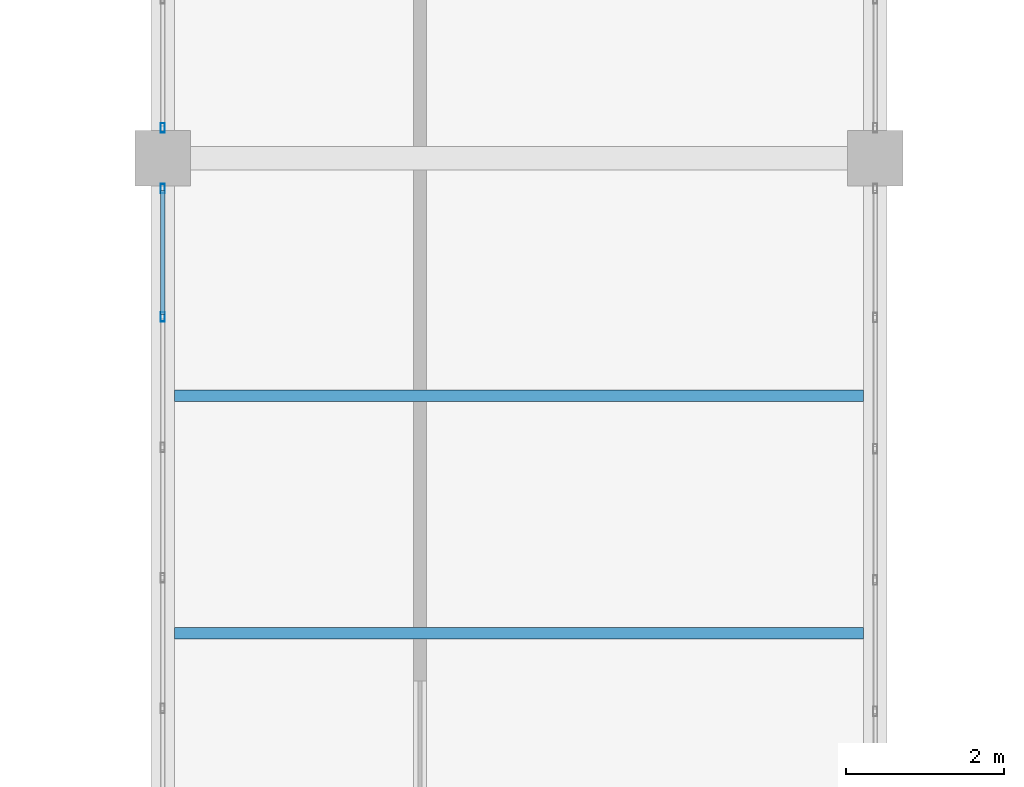
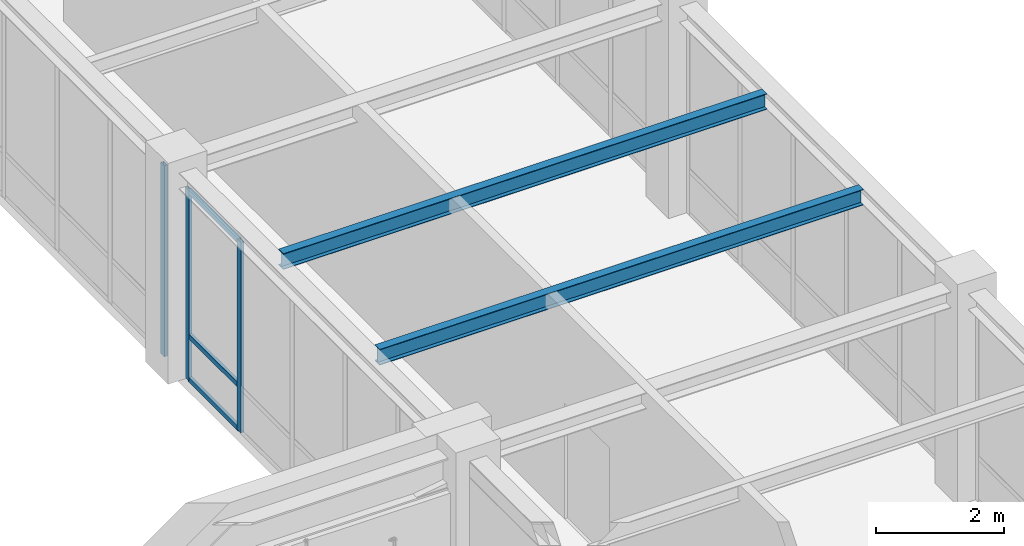
# One storey, part 37 of 108: 6 members, 2 beams, 2 elements without a shape of their own.
"""IFC4 building model written with IfcOpenShell, lengths in metres."""

from ifc_helpers import new_model, si_unit, direction, frame, origin, origin_2d, place, context, subcontext, project, spatial, hollow_rectangle, i_section, extrude, material, material_profile, profile_set, type_object, element, aggregate, save


model = new_model("IFC4")

# Units and contexts
model_context = context("Model", 3, precision=1e-05, world=origin(), true_north=direction((0.0, 1.0)))
body_context = subcontext(model_context, "Body", "Model", "MODEL_VIEW")
ifc_project = project(units=[si_unit("LENGTHUNIT", "METRE"), si_unit("AREAUNIT", "SQUARE_METRE"), si_unit("VOLUMEUNIT", "CUBIC_METRE"), si_unit("PLANEANGLEUNIT", "RADIAN"), si_unit("MASSUNIT", "GRAM", prefix="KILO")], contexts=[model_context])

# Site, building, storey
site_placement = place(None, origin())
site = spatial("IfcSite", under=ifc_project, at=site_placement, CompositionType="ELEMENT")
building_placement = place(site_placement, origin())
building = spatial("IfcBuilding", under=site, at=building_placement, Name="Lykobir Media Centre", CompositionType="ELEMENT")
storey_placement = place(building_placement, frame((0.0, 0.0, 15.0)))
storey = spatial("IfcBuildingStorey", under=building, at=storey_placement, Name="L03", CompositionType="ELEMENT", Elevation=15.0)

# Curtain wall, members
ifc_material_1 = material(Name="Anodized Aluminium AW-6060", Category="aluminium")
curtain_wall_type = type_object("IfcCurtainWallType", Name="CW-COURT-B", PredefinedType="NOTDEFINED", material=ifc_material_1)
curtain_wall_1_placement = place(storey_placement, origin())
curtain_wall_1 = element("IfcCurtainWall", 1, at=curtain_wall_1_placement, inside=storey, type_object=curtain_wall_type, Name="Curtain wall CW2-L03-0135", PredefinedType="NOTDEFINED")
ifc_material_profile_1 = material_profile(ifc_material_1, hollow_rectangle(XDim=0.054931640625, YDim=0.1201171875, WallThickness=0.003173828125, at=origin_2d()), Name="ALU MULLION 55x120")
ifc_profile_set_1 = profile_set([ifc_material_profile_1], Name="Anodized Aluminium AW-6060")
member_type_1 = type_object("IfcMemberType", Name="CWM-120", PredefinedType="MULLION", material=ifc_profile_set_1)
member_1_placement = place(storey_placement, frame((27.0, 51.9970703125, 0.0), z_axis=(0.0, 0.0, 1.0), x_axis=(-1.0, 0.0, 0.0)))
member_1 = element("IfcMember", 2, at=member_1_placement, type_object=member_type_1, Name="CW2-L03-0135 mullion 5", PredefinedType="MULLION", context=body_context, shape_type="SweptSolid", body=[
    extrude(hollow_rectangle(XDim=0.054931640625, YDim=0.1201171875, WallThickness=0.003173828125, at=origin_2d()), origin(), (0.0, 0.0, 1.0), 3.623046875),
])
member_2_placement = place(storey_placement, frame((27.0, 53.617431640625, 0.0), z_axis=(0.0, 0.0, 1.0), x_axis=(-1.0, 0.0, 0.0)))
member_2 = element("IfcMember", 3, at=member_2_placement, type_object=member_type_1, Name="CW2-L03-0135 mullion 6", PredefinedType="MULLION", context=body_context, shape_type="SweptSolid", body=[
    extrude(hollow_rectangle(XDim=0.054931640625, YDim=0.1201171875, WallThickness=0.003173828125, at=origin_2d()), origin(), (0.0, 0.0, 1.0), 3.623046875),
])

# Curtain wall, member
curtain_wall_2_placement = place(storey_placement, origin())
curtain_wall_2 = element("IfcCurtainWall", 4, at=curtain_wall_2_placement, inside=storey, type_object=curtain_wall_type, Name="Curtain wall CW2-L03-0136", PredefinedType="NOTDEFINED")
member_3_placement = place(storey_placement, frame((27.0, 54.382568359375, 0.0), z_axis=(0.0, 0.0, 1.0), x_axis=(-1.0, 0.0, 0.0)))
member_3 = element("IfcMember", 5, at=member_3_placement, type_object=member_type_1, Name="CW2-L03-0136 mullion 1", PredefinedType="MULLION", context=body_context, shape_type="SweptSolid", body=[
    extrude(hollow_rectangle(XDim=0.054931640625, YDim=0.1201171875, WallThickness=0.003173828125, at=origin_2d()), origin(), (0.0, 0.0, 1.0), 3.635009765625),
])
aggregate(curtain_wall_2, [member_3])

# Member
ifc_material_profile_2 = material_profile(ifc_material_1, hollow_rectangle(XDim=0.054931640625, YDim=0.094970703125, WallThickness=0.0029296875, at=origin_2d()), Name="ALU TRANSOM 55x95")
ifc_profile_set_2 = profile_set([ifc_material_profile_2], Name="Anodized Aluminium AW-6060")
member_type_2 = type_object("IfcMemberType", Name="CWT-095", PredefinedType="USERDEFINED", material=ifc_profile_set_2)
member_4_placement = place(storey_placement, frame((27.0, 52.0244140625, 0.027587890625), z_axis=(0.0, 1.0, 0.0), x_axis=(-1.0, 0.0, 0.0)))
member_4 = element("IfcMember", 6, at=member_4_placement, type_object=member_type_2, Name="CW2-L03-0135 transom 5.1", ObjectType="TRANSOM", PredefinedType="USERDEFINED", context=body_context, shape_type="SweptSolid", body=[
    extrude(hollow_rectangle(XDim=0.054931640625, YDim=0.094970703125, WallThickness=0.0029296875, at=origin_2d()), origin(), (0.0, 0.0, 1.0), 1.565673828125),
])

member_5_placement = place(storey_placement, frame((27.0, 52.0244140625, 0.85009765625), z_axis=(0.0, 1.0, 0.0), x_axis=(-1.0, 0.0, 0.0)))
member_5 = element("IfcMember", 7, at=member_5_placement, type_object=member_type_2, Name="CW2-L03-0135 transom 5.2", ObjectType="TRANSOM", PredefinedType="USERDEFINED", context=body_context, shape_type="SweptSolid", body=[
    extrude(hollow_rectangle(XDim=0.054931640625, YDim=0.094970703125, WallThickness=0.0029296875, at=origin_2d()), origin(), (0.0, 0.0, 1.0), 1.565673828125),
])

member_6_placement = place(storey_placement, frame((27.0, 52.0244140625, 3.595458984375), z_axis=(0.0, 1.0, 0.0), x_axis=(-1.0, 0.0, 0.0)))
member_6 = element("IfcMember", 8, at=member_6_placement, type_object=member_type_2, Name="CW2-L03-0135 transom 5.3", ObjectType="TRANSOM", PredefinedType="USERDEFINED", context=body_context, shape_type="SweptSolid", body=[
    extrude(hollow_rectangle(XDim=0.054931640625, YDim=0.094970703125, WallThickness=0.0029296875, at=origin_2d()), origin(), (0.0, 0.0, 1.0), 1.565673828125),
])

aggregate(curtain_wall_1, [member_1, member_2, member_4, member_5, member_6])

# Beams
ifc_material_2 = material(Name="Steel S355", Category="steel")
ifc_material_profile_3 = material_profile(ifc_material_2, i_section(OverallWidth=0.14990234375, OverallDepth=0.300048828125, WebThickness=0.007080078125, FlangeThickness=0.0107421875, at=origin_2d()), Name="IPE 300")
ifc_profile_set_3 = profile_set([ifc_material_profile_3], Name="Steel S355")
beam_type = type_object("IfcBeamType", Name="JS-IPE300", PredefinedType="JOIST", material=ifc_profile_set_3)
for number, where, z_axis, x_axis, name in (
    (9, (27.14990234375, 48.0, 3.81005859375), (1.0, 0.0, 0.0), (0.0, 1.0, 0.0), "Beam BM-L03-0272-0480-0358-0480-1881"),
    (10, (27.14990234375, 51.0, 3.81005859375), (1.0, 0.0, 0.0), (0.0, 1.0, 0.0), "Beam BM-L03-0272-0510-0358-0510-1881"),
):
    element("IfcBeam", number, at=place(storey_placement, frame(where, z_axis=z_axis, x_axis=x_axis)), inside=storey, type_object=beam_type, Name=name, PredefinedType="JOIST", context=body_context, shape_type="SweptSolid", body=[
        extrude(i_section(OverallWidth=0.14990234375, OverallDepth=0.300048828125, WebThickness=0.007080078125, FlangeThickness=0.0107421875, at=origin_2d()), origin(), (0.0, 0.0, 1.0), 8.7001953125),
    ])

save(model, "model.ifc")
